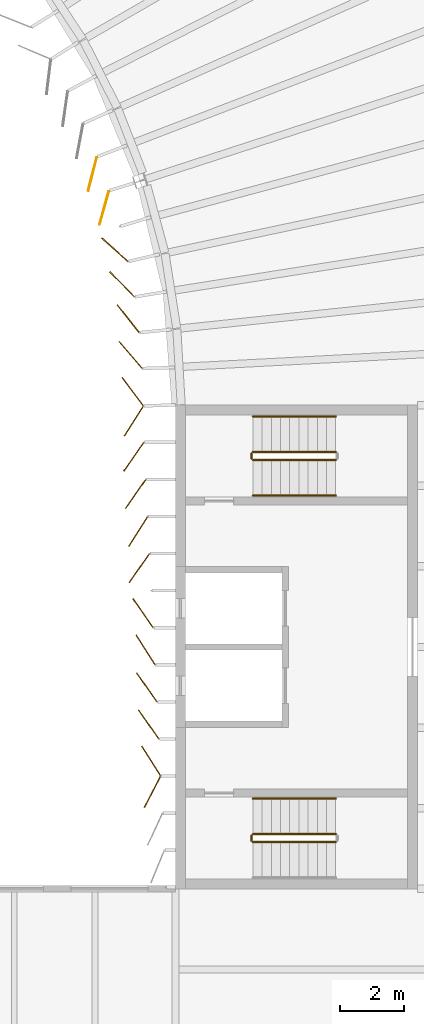
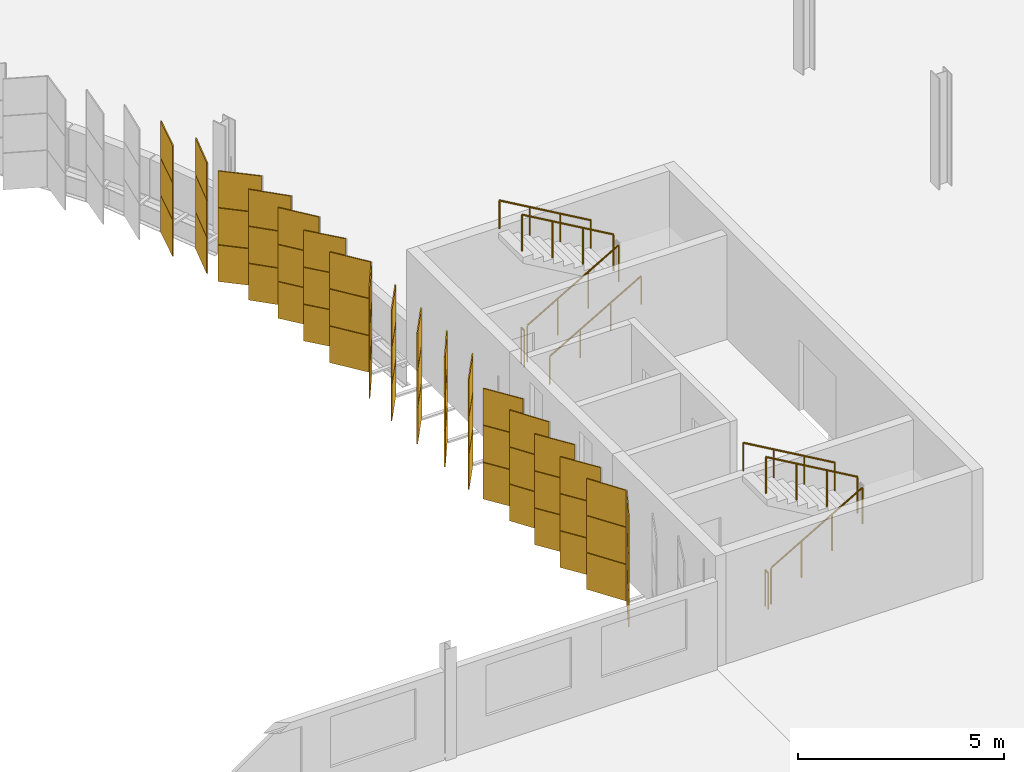
# One storey, part 206 of 214: 54 coverings, 9 railings.
"""IFC4 building model written with IfcOpenShell, lengths in metres."""

from ifc_helpers import new_model, si_unit, direction, frame, origin, origin_2d, place, context, subcontext, project, spatial, rectangle, circle, extrude, material, layer, layer_set, type_object, element, save


model = new_model("IFC4")

# Units and contexts
model_context = context("Model", 3, precision=1e-05, world=origin(), true_north=direction((0.0, 1.0)))
body_context = subcontext(model_context, "Body", "Model", "MODEL_VIEW")
ifc_project = project(units=[si_unit("LENGTHUNIT", "METRE"), si_unit("AREAUNIT", "SQUARE_METRE"), si_unit("VOLUMEUNIT", "CUBIC_METRE"), si_unit("PLANEANGLEUNIT", "RADIAN"), si_unit("MASSUNIT", "GRAM", prefix="KILO")], contexts=[model_context])

# Site, building, storey
site_placement = place(None, origin())
site = spatial("IfcSite", under=ifc_project, at=site_placement, CompositionType="ELEMENT")
building_placement = place(site_placement, origin())
building = spatial("IfcBuilding", under=site, at=building_placement, Name="Parallax Yard Mobility Hub", CompositionType="ELEMENT")
storey_placement = place(building_placement, frame((0.0, 0.0, 3.300048828125)))
storey = spatial("IfcBuildingStorey", under=building, at=storey_placement, Name="L01", CompositionType="ELEMENT", Elevation=3.300048828125)

# Coverings
ifc_material_1 = material(Name="Aluminium panel, light oak finish", Category="aluminium")
ifc_layer_1 = layer(ifc_material_1, 0.030029296875)
ifc_layer_set_1 = layer_set([ifc_layer_1], Name="Skin panel 27.5 degree turn, oak finish")
covering_type_1 = type_object("IfcCoveringType", Name="Skin panel 27.5 degree turn, oak finish", PredefinedType="CLADDING", material=ifc_layer_set_1)
for number, where, z_axis, x_axis, name in (
    (1, (194.280517578125, 78.00439453125, 1.119873046875), (0.0, 0.0, 1.0), (-0.461748613235, -0.887010833178, 0.0), "Skin panel 27.5 bay 23.11 row 2 level L01"),
    (2, (194.280517578125, 78.00439453125, 2.219970703125), (0.0, 0.0, 1.0), (-0.461748613235, -0.887010833178, 0.0), "Skin panel 27.5 bay 23.11 row 3 level L01"),
):
    element("IfcCovering", number, at=place(storey_placement, frame(where, z_axis=z_axis, x_axis=x_axis)), inside=storey, type_object=covering_type_1, Name=name, ObjectType="SCREEN", PredefinedType="CLADDING", context=body_context, shape_type="SweptSolid", body=[
        extrude(rectangle(XDim=1.080078125, YDim=0.030029296875, at=origin_2d()), origin(), (0.0, 0.0, 1.0), 1.080078125),
    ])
ifc_material_2 = material(Name="Aluminium panel, walnut finish", Category="aluminium")
ifc_layer_2 = layer(ifc_material_2, 0.030029296875)
ifc_layer_set_2 = layer_set([ifc_layer_2], Name="Skin panel 27.5 degree turn, walnut finish")
covering_type_2 = type_object("IfcCoveringType", Name="Skin panel 27.5 degree turn, walnut finish", PredefinedType="CLADDING", material=ifc_layer_set_2)
covering_placement = place(storey_placement, frame((194.280517578125, 78.00439453125, 0.02001953125), z_axis=(0.0, 0.0, 1.0), x_axis=(-0.461748613235, -0.887010833178, 0.0)))
element("IfcCovering", 3, at=covering_placement, inside=storey, type_object=covering_type_2, Name="Skin panel 27.5 bay 23.11 row 1 level L01", ObjectType="SCREEN", PredefinedType="CLADDING", context=body_context, shape_type="SweptSolid", body=[
    extrude(rectangle(XDim=1.080078125, YDim=0.030029296875, at=origin_2d()), origin(), (0.0, 0.0, 1.0), 1.080078125),
])
ifc_layer_3 = layer(ifc_material_1, 0.030029296875)
ifc_layer_set_3 = layer_set([ifc_layer_3], Name="Skin panel 32.5 degree turn, oak finish")
covering_type_3 = type_object("IfcCoveringType", Name="Skin panel 32.5 degree turn, oak finish", PredefinedType="CLADDING", material=ifc_layer_set_3)
for number, where, z_axis, x_axis, name in (
    (4, (192.7861328125, 96.119140625, 1.119873046875), (0.0, 0.0, 1.0), (-0.269340053953, -0.963045136708, 0.0), "Skin panel 32.5 bay 22.1 row 2 level L01"),
    (5, (192.7861328125, 96.119140625, 2.219970703125), (0.0, 0.0, 1.0), (-0.269340053953, -0.963045136708, 0.0), "Skin panel 32.5 bay 22.1 row 3 level L01"),
    (6, (193.52685546875, 92.688232421875, 1.119873046875), (0.0, 0.0, 1.0), (-0.617379181571, 0.786665714369, 0.0), "Skin panel 32.5 bay 22.4 row 2 level L01"),
    (7, (193.52685546875, 92.688232421875, 2.219970703125), (0.0, 0.0, 1.0), (-0.617379181571, 0.786665714369, 0.0), "Skin panel 32.5 bay 22.4 row 3 level L01"),
    (8, (193.701416015625, 89.507568359375, 1.119873046875), (0.0, 0.0, 1.0), (-0.537299608347, -0.843391445813, 0.0), "Skin panel 32.5 bay 23.1 row 2 level L01"),
    (9, (193.701416015625, 89.507568359375, 2.219970703125), (0.0, 0.0, 1.0), (-0.537299608347, -0.843391445813, 0.0), "Skin panel 32.5 bay 23.1 row 3 level L01"),
    (10, (193.835693359375, 86.079833984375, 1.119873046875), (0.0, 0.0, 1.0), (-0.537299608347, -0.843391445813, 0.0), "Skin panel 32.5 bay 23.4 row 2 level L01"),
    (11, (193.835693359375, 86.079833984375, 2.219970703125), (0.0, 0.0, 1.0), (-0.537299608347, -0.843391445813, 0.0), "Skin panel 32.5 bay 23.4 row 3 level L01"),
    (12, (194.06591796875, 82.41748046875, 1.119873046875), (0.0, 0.0, 1.0), (-0.537299608347, 0.843391445813, 0.0), "Skin panel 32.5 bay 23.7 row 2 level L01"),
    (13, (194.06591796875, 82.41748046875, 2.219970703125), (0.0, 0.0, 1.0), (-0.537299608347, 0.843391445813, 0.0), "Skin panel 32.5 bay 23.7 row 3 level L01"),
    (14, (194.23828125, 78.967041015625, 1.119873046875), (0.0, 0.0, 1.0), (-0.537299608347, 0.843391445813, 0.0), "Skin panel 32.5 bay 23.10 row 2 level L01"),
    (15, (194.23828125, 78.967041015625, 2.219970703125), (0.0, 0.0, 1.0), (-0.537299608347, 0.843391445813, 0.0), "Skin panel 32.5 bay 23.10 row 3 level L01"),
):
    element("IfcCovering", number, at=place(storey_placement, frame(where, z_axis=z_axis, x_axis=x_axis)), inside=storey, type_object=covering_type_3, Name=name, ObjectType="SCREEN", PredefinedType="CLADDING", context=body_context, shape_type="SweptSolid", body=[
        extrude(rectangle(XDim=1.080078125, YDim=0.030029296875, at=origin_2d()), origin(), (0.0, 0.0, 1.0), 1.080078125),
    ])
ifc_layer_4 = layer(ifc_material_2, 0.030029296875)
ifc_layer_set_4 = layer_set([ifc_layer_4], Name="Skin panel 32.5 degree turn, walnut finish")
covering_type_4 = type_object("IfcCoveringType", Name="Skin panel 32.5 degree turn, walnut finish", PredefinedType="CLADDING", material=ifc_layer_set_4)
for number, where, z_axis, x_axis, name in (
    (16, (192.7861328125, 96.119140625, 0.02001953125), (0.0, 0.0, 1.0), (-0.269340053953, -0.963045136708, 0.0), "Skin panel 32.5 bay 22.1 row 1 level L01"),
    (17, (193.52685546875, 92.688232421875, 0.02001953125), (0.0, 0.0, 1.0), (-0.617379181571, 0.786665714369, 0.0), "Skin panel 32.5 bay 22.4 row 1 level L01"),
    (18, (193.701416015625, 89.507568359375, 0.02001953125), (0.0, 0.0, 1.0), (-0.537299608347, -0.843391445813, 0.0), "Skin panel 32.5 bay 23.1 row 1 level L01"),
    (19, (193.835693359375, 86.079833984375, 0.02001953125), (0.0, 0.0, 1.0), (-0.537299608347, -0.843391445813, 0.0), "Skin panel 32.5 bay 23.4 row 1 level L01"),
    (20, (194.06591796875, 82.41748046875, 0.02001953125), (0.0, 0.0, 1.0), (-0.537299608347, 0.843391445813, 0.0), "Skin panel 32.5 bay 23.7 row 1 level L01"),
    (21, (194.23828125, 78.967041015625, 0.02001953125), (0.0, 0.0, 1.0), (-0.537299608347, 0.843391445813, 0.0), "Skin panel 32.5 bay 23.10 row 1 level L01"),
):
    element("IfcCovering", number, at=place(storey_placement, frame(where, z_axis=z_axis, x_axis=x_axis)), inside=storey, type_object=covering_type_4, Name=name, ObjectType="SCREEN", PredefinedType="CLADDING", context=body_context, shape_type="SweptSolid", body=[
        extrude(rectangle(XDim=1.080078125, YDim=0.030029296875, at=origin_2d()), origin(), (0.0, 0.0, 1.0), 1.080078125),
    ])
ifc_layer_5 = layer(ifc_material_1, 0.030029296875)
ifc_layer_set_5 = layer_set([ifc_layer_5], Name="Skin panel 35 degree turn, oak finish")
covering_type_5 = type_object("IfcCoveringType", Name="Skin panel 35 degree turn, oak finish", PredefinedType="CLADDING", material=ifc_layer_set_5)
for number, where, z_axis, x_axis, name in (
    (22, (192.42138671875, 97.16650390625, 1.119873046875), (0.0, 0.0, 1.0), (-0.248267239374, -0.968691580357, 0.0), "Skin panel 35 bay 21.6 row 2 level L01"),
    (23, (192.42138671875, 97.16650390625, 2.219970703125), (0.0, 0.0, 1.0), (-0.248267239374, -0.968691580357, 0.0), "Skin panel 35 bay 21.6 row 3 level L01"),
    (24, (193.111328125, 94.826416015625, 1.119873046875), (0.0, 0.0, 1.0), (-0.744602872292, 0.66750772473, 0.0), "Skin panel 35 bay 22.2 row 2 level L01"),
    (25, (193.111328125, 94.826416015625, 2.219970703125), (0.0, 0.0, 1.0), (-0.744602872292, 0.66750772473, 0.0), "Skin panel 35 bay 22.2 row 3 level L01"),
    (26, (193.33544921875, 93.754638671875, 1.119873046875), (0.0, 0.0, 1.0), (-0.699351526403, 0.714777897334, 0.0), "Skin panel 35 bay 22.3 row 2 level L01"),
    (27, (193.33544921875, 93.754638671875, 2.219970703125), (0.0, 0.0, 1.0), (-0.699351526403, 0.714777897334, 0.0), "Skin panel 35 bay 22.3 row 3 level L01"),
    (28, (193.60009765625, 91.560791015625, 1.119873046875), (0.0, 0.0, 1.0), (-0.651105449912, 0.758987281247, 0.0), "Skin panel 35 bay 22.5 row 2 level L01"),
    (29, (193.60009765625, 91.560791015625, 2.219970703125), (0.0, 0.0, 1.0), (-0.651105449912, 0.758987281247, 0.0), "Skin panel 35 bay 22.5 row 3 level L01"),
    (30, (193.66650390625, 90.421875, 1.119873046875), (0.0, 0.0, 1.0), (-0.600071239924, 0.7999465651, 0.0), "Skin panel 35 bay 22.6 row 2 level L01"),
    (31, (193.66650390625, 90.421875, 2.219970703125), (0.0, 0.0, 1.0), (-0.600071239924, 0.7999465651, 0.0), "Skin panel 35 bay 22.6 row 3 level L01"),
    (32, (193.70068359375, 88.393798828125, 1.119873046875), (0.0, 0.0, 1.0), (-0.573576436351, -0.819152044289, 0.0), "Skin panel 35 bay 23.2 row 2 level L01"),
    (33, (193.70068359375, 88.393798828125, 2.219970703125), (0.0, 0.0, 1.0), (-0.573576436351, -0.819152044289, 0.0), "Skin panel 35 bay 23.2 row 3 level L01"),
    (34, (193.75830078125, 87.243408203125, 1.119873046875), (0.0, 0.0, 1.0), (-0.573576436351, -0.819152044289, 0.0), "Skin panel 35 bay 23.3 row 2 level L01"),
    (35, (193.75830078125, 87.243408203125, 2.219970703125), (0.0, 0.0, 1.0), (-0.573576436351, -0.819152044289, 0.0), "Skin panel 35 bay 23.3 row 3 level L01"),
    (36, (193.873291015625, 84.943115234375, 1.119873046875), (0.0, 0.0, 1.0), (-0.573576436351, -0.819152044289, 0.0), "Skin panel 35 bay 23.5 row 2 level L01"),
    (37, (193.873291015625, 84.943115234375, 2.219970703125), (0.0, 0.0, 1.0), (-0.573576436351, -0.819152044289, 0.0), "Skin panel 35 bay 23.5 row 3 level L01"),
    (38, (193.98828125, 83.55419921875, 1.119873046875), (0.0, 0.0, 1.0), (-0.573576436351, 0.819152044289, 0.0), "Skin panel 35 bay 23.6 row 2 level L01"),
    (39, (193.98828125, 83.55419921875, 2.219970703125), (0.0, 0.0, 1.0), (-0.573576436351, 0.819152044289, 0.0), "Skin panel 35 bay 23.6 row 3 level L01"),
    (40, (194.103271484375, 81.25390625, 1.119873046875), (0.0, 0.0, 1.0), (-0.573576436351, 0.819152044289, 0.0), "Skin panel 35 bay 23.8 row 2 level L01"),
    (41, (194.103271484375, 81.25390625, 2.219970703125), (0.0, 0.0, 1.0), (-0.573576436351, 0.819152044289, 0.0), "Skin panel 35 bay 23.8 row 3 level L01"),
    (42, (194.16064453125, 80.103759765625, 1.119873046875), (0.0, 0.0, 1.0), (-0.573576436351, 0.819152044289, 0.0), "Skin panel 35 bay 23.9 row 2 level L01"),
    (43, (194.16064453125, 80.103759765625, 2.219970703125), (0.0, 0.0, 1.0), (-0.573576436351, 0.819152044289, 0.0), "Skin panel 35 bay 23.9 row 3 level L01"),
):
    element("IfcCovering", number, at=place(storey_placement, frame(where, z_axis=z_axis, x_axis=x_axis)), inside=storey, type_object=covering_type_5, Name=name, ObjectType="SCREEN", PredefinedType="CLADDING", context=body_context, shape_type="SweptSolid", body=[
        extrude(rectangle(XDim=1.080078125, YDim=0.030029296875, at=origin_2d()), origin(), (0.0, 0.0, 1.0), 1.080078125),
    ])
ifc_layer_6 = layer(ifc_material_2, 0.030029296875)
ifc_layer_set_6 = layer_set([ifc_layer_6], Name="Skin panel 35 degree turn, walnut finish")
covering_type_6 = type_object("IfcCoveringType", Name="Skin panel 35 degree turn, walnut finish", PredefinedType="CLADDING", material=ifc_layer_set_6)
for number, where, z_axis, x_axis, name in (
    (44, (192.42138671875, 97.16650390625, 0.02001953125), (0.0, 0.0, 1.0), (-0.248267239374, -0.968691580357, 0.0), "Skin panel 35 bay 21.6 row 1 level L01"),
    (45, (193.111328125, 94.826416015625, 0.02001953125), (0.0, 0.0, 1.0), (-0.744602872292, 0.66750772473, 0.0), "Skin panel 35 bay 22.2 row 1 level L01"),
    (46, (193.33544921875, 93.754638671875, 0.02001953125), (0.0, 0.0, 1.0), (-0.699351526403, 0.714777897334, 0.0), "Skin panel 35 bay 22.3 row 1 level L01"),
    (47, (193.60009765625, 91.560791015625, 0.02001953125), (0.0, 0.0, 1.0), (-0.651105449912, 0.758987281247, 0.0), "Skin panel 35 bay 22.5 row 1 level L01"),
    (48, (193.66650390625, 90.421875, 0.02001953125), (0.0, 0.0, 1.0), (-0.600071239924, 0.7999465651, 0.0), "Skin panel 35 bay 22.6 row 1 level L01"),
    (49, (193.70068359375, 88.393798828125, 0.02001953125), (0.0, 0.0, 1.0), (-0.573576436351, -0.819152044289, 0.0), "Skin panel 35 bay 23.2 row 1 level L01"),
    (50, (193.75830078125, 87.243408203125, 0.02001953125), (0.0, 0.0, 1.0), (-0.573576436351, -0.819152044289, 0.0), "Skin panel 35 bay 23.3 row 1 level L01"),
    (51, (193.873291015625, 84.943115234375, 0.02001953125), (0.0, 0.0, 1.0), (-0.573576436351, -0.819152044289, 0.0), "Skin panel 35 bay 23.5 row 1 level L01"),
    (52, (193.98828125, 83.55419921875, 0.02001953125), (0.0, 0.0, 1.0), (-0.573576436351, 0.819152044289, 0.0), "Skin panel 35 bay 23.6 row 1 level L01"),
    (53, (194.103271484375, 81.25390625, 0.02001953125), (0.0, 0.0, 1.0), (-0.573576436351, 0.819152044289, 0.0), "Skin panel 35 bay 23.8 row 1 level L01"),
    (54, (194.16064453125, 80.103759765625, 0.02001953125), (0.0, 0.0, 1.0), (-0.573576436351, 0.819152044289, 0.0), "Skin panel 35 bay 23.9 row 1 level L01"),
):
    element("IfcCovering", number, at=place(storey_placement, frame(where, z_axis=z_axis, x_axis=x_axis)), inside=storey, type_object=covering_type_6, Name=name, ObjectType="SCREEN", PredefinedType="CLADDING", context=body_context, shape_type="SweptSolid", body=[
        extrude(rectangle(XDim=1.080078125, YDim=0.030029296875, at=origin_2d()), origin(), (0.0, 0.0, 1.0), 1.080078125),
    ])

# Railings
ifc_material_3 = material(Name="Steel ASTM A36", Category="steel")
railing_type_1 = type_object("IfcRailingType", Name="Stair guard 1100", PredefinedType="GUARDRAIL", material=ifc_material_3)
railing_1_placement = place(storey_placement, frame((197.39990234375, 76.449951171875, 0.1650390625)))
element("IfcRailing", 55, at=railing_1_placement, inside=storey, type_object=railing_type_1, Name="L01 ST7 stair guard 1", PredefinedType="GUARDRAIL", context=body_context, shape_type="SweptSolid", body=[
    extrude(circle(Radius=0.02392578125, at=origin_2d()), frame((0.0, 0.0, 1.076171875), z_axis=(0.865461999751, 0.0, 0.500974577186), x_axis=(0.0, 1.0, 0.0)), (0.0, 0.0, 1.0), 2.9638671875),
    extrude(circle(Radius=0.02099609375, at=origin_2d()), origin(), (0.0, 0.0, 1.0), 1.052001953125),
    extrude(circle(Radius=0.02099609375, at=origin_2d()), frame((0.85498046875, 0.0, 0.494873046875)), (0.0, 0.0, 1.0), 1.052001953125),
    extrude(circle(Radius=0.02099609375, at=origin_2d()), frame((1.710205078125, 0.0, 0.989990234375)), (0.0, 0.0, 1.0), 1.052001953125),
    extrude(circle(Radius=0.02099609375, at=origin_2d()), frame((2.565185546875, 0.0, 1.48486328125)), (0.0, 0.0, 1.0), 1.052001953125),
])
railing_2_placement = place(storey_placement, frame((199.965087890625, 76.699951171875, 1.81494140625)))
element("IfcRailing", 56, at=railing_2_placement, inside=storey, type_object=railing_type_1, Name="L01 ST7 stair guard 3", PredefinedType="GUARDRAIL", context=body_context, shape_type="SweptSolid", body=[
    extrude(circle(Radius=0.02392578125, at=origin_2d()), frame((0.0, 0.0, 1.076171875), z_axis=(-0.865426285481, 0.0, 0.501036270542), x_axis=(0.0, -1.0, 0.0)), (0.0, 0.0, 1.0), 2.964111328125),
    extrude(circle(Radius=0.02099609375, at=origin_2d()), origin(), (0.0, 0.0, 1.0), 1.052001953125),
    extrude(circle(Radius=0.02099609375, at=origin_2d()), frame((-0.85498046875, 0.0, 0.4951171875)), (0.0, 0.0, 1.0), 1.052001953125),
    extrude(circle(Radius=0.02099609375, at=origin_2d()), frame((-1.710205078125, 0.0, 0.989990234375)), (0.0, 0.0, 1.0), 1.052001953125),
    extrude(circle(Radius=0.02099609375, at=origin_2d()), frame((-2.565185546875, 0.0, 1.485107421875)), (0.0, 0.0, 1.0), 1.052001953125),
])
railing_3_placement = place(storey_placement, frame((197.35009765625, 76.5, 0.0)))
element("IfcRailing", 57, at=railing_3_placement, inside=storey, type_object=railing_type_1, Name="L01 ST7 stair guard 4", PredefinedType="GUARDRAIL", context=body_context, shape_type="SweptSolid", body=[
    extrude(circle(Radius=0.02392578125, at=origin_2d()), frame((0.0, 0.0, 1.076171875), z_axis=(0.0, 1.0, 0.0), x_axis=(-1.0, 0.0, 0.0)), (0.0, 0.0, 1.0), 0.14990234375),
    extrude(circle(Radius=0.02099609375, at=origin_2d()), origin(), (0.0, 0.0, 1.0), 1.052001953125),
    extrude(circle(Radius=0.02099609375, at=origin_2d()), frame((0.0, 0.14990234375, 0.0)), (0.0, 0.0, 1.0), 1.052001953125),
])
railing_4_placement = place(storey_placement, frame((197.39990234375, 88.300048828125, 0.1650390625)))
element("IfcRailing", 58, at=railing_4_placement, inside=storey, type_object=railing_type_1, Name="L01 ST8 stair guard 1", PredefinedType="GUARDRAIL", context=body_context, shape_type="SweptSolid", body=[
    extrude(circle(Radius=0.02392578125, at=origin_2d()), frame((0.0, 0.0, 1.076171875), z_axis=(0.865461999751, 0.0, 0.500974577186), x_axis=(0.0, 1.0, 0.0)), (0.0, 0.0, 1.0), 2.9638671875),
    extrude(circle(Radius=0.02099609375, at=origin_2d()), origin(), (0.0, 0.0, 1.0), 1.052001953125),
    extrude(circle(Radius=0.02099609375, at=origin_2d()), frame((0.85498046875, 0.0, 0.494873046875)), (0.0, 0.0, 1.0), 1.052001953125),
    extrude(circle(Radius=0.02099609375, at=origin_2d()), frame((1.710205078125, 0.0, 0.989990234375)), (0.0, 0.0, 1.0), 1.052001953125),
    extrude(circle(Radius=0.02099609375, at=origin_2d()), frame((2.565185546875, 0.0, 1.48486328125)), (0.0, 0.0, 1.0), 1.052001953125),
])
railing_5_placement = place(storey_placement, frame((199.965087890625, 88.550048828125, 1.81494140625)))
element("IfcRailing", 59, at=railing_5_placement, inside=storey, type_object=railing_type_1, Name="L01 ST8 stair guard 3", PredefinedType="GUARDRAIL", context=body_context, shape_type="SweptSolid", body=[
    extrude(circle(Radius=0.02392578125, at=origin_2d()), frame((0.0, 0.0, 1.076171875), z_axis=(-0.865426285481, 0.0, 0.501036270542), x_axis=(0.0, -1.0, 0.0)), (0.0, 0.0, 1.0), 2.964111328125),
    extrude(circle(Radius=0.02099609375, at=origin_2d()), origin(), (0.0, 0.0, 1.0), 1.052001953125),
    extrude(circle(Radius=0.02099609375, at=origin_2d()), frame((-0.85498046875, 0.0, 0.4951171875)), (0.0, 0.0, 1.0), 1.052001953125),
    extrude(circle(Radius=0.02099609375, at=origin_2d()), frame((-1.710205078125, 0.0, 0.989990234375)), (0.0, 0.0, 1.0), 1.052001953125),
    extrude(circle(Radius=0.02099609375, at=origin_2d()), frame((-2.565185546875, 0.0, 1.485107421875)), (0.0, 0.0, 1.0), 1.052001953125),
])
railing_6_placement = place(storey_placement, frame((197.35009765625, 88.35009765625, 0.0)))
element("IfcRailing", 60, at=railing_6_placement, inside=storey, type_object=railing_type_1, Name="L01 ST8 stair guard 4", PredefinedType="GUARDRAIL", context=body_context, shape_type="SweptSolid", body=[
    extrude(circle(Radius=0.02392578125, at=origin_2d()), frame((0.0, 0.0, 1.076171875), z_axis=(0.0, 1.0, 0.0), x_axis=(-1.0, 0.0, 0.0)), (0.0, 0.0, 1.0), 0.14990234375),
    extrude(circle(Radius=0.02099609375, at=origin_2d()), origin(), (0.0, 0.0, 1.0), 1.052001953125),
    extrude(circle(Radius=0.02099609375, at=origin_2d()), frame((0.0, 0.14990234375, 0.0)), (0.0, 0.0, 1.0), 1.052001953125),
])
railing_type_2 = type_object("IfcRailingType", Name="Stair handrail", PredefinedType="HANDRAIL", material=ifc_material_3)
railing_7_placement = place(storey_placement, frame((199.965087890625, 77.800048828125, 1.81494140625)))
element("IfcRailing", 61, at=railing_7_placement, inside=storey, type_object=railing_type_2, Name="L01 ST7 stair handrail 2", PredefinedType="HANDRAIL", context=body_context, shape_type="SweptSolid", body=[
    extrude(circle(Radius=0.02392578125, at=origin_2d()), frame((0.0, 0.0, 0.8310546875), z_axis=(-0.865426285481, 0.0, 0.501036270542), x_axis=(0.0, -1.0, 0.0)), (0.0, 0.0, 1.0), 2.964111328125),
    extrude(circle(Radius=0.02099609375, at=origin_2d()), origin(), (0.0, 0.0, 1.0), 0.806884765625),
    extrude(circle(Radius=0.02099609375, at=origin_2d()), frame((-0.85498046875, 0.0, 0.4951171875)), (0.0, 0.0, 1.0), 0.806884765625),
    extrude(circle(Radius=0.02099609375, at=origin_2d()), frame((-1.710205078125, 0.0, 0.989990234375)), (0.0, 0.0, 1.0), 0.806884765625),
    extrude(circle(Radius=0.02099609375, at=origin_2d()), frame((-2.565185546875, 0.0, 1.485107421875)), (0.0, 0.0, 1.0), 0.806884765625),
])
railing_8_placement = place(storey_placement, frame((197.39990234375, 87.199951171875, 0.1650390625)))
element("IfcRailing", 62, at=railing_8_placement, inside=storey, type_object=railing_type_2, Name="L01 ST8 stair handrail 1", PredefinedType="HANDRAIL", context=body_context, shape_type="SweptSolid", body=[
    extrude(circle(Radius=0.02392578125, at=origin_2d()), frame((0.0, 0.0, 0.8310546875), z_axis=(0.865461999751, 0.0, 0.500974577186), x_axis=(0.0, 1.0, 0.0)), (0.0, 0.0, 1.0), 2.9638671875),
    extrude(circle(Radius=0.02099609375, at=origin_2d()), origin(), (0.0, 0.0, 1.0), 0.806884765625),
    extrude(circle(Radius=0.02099609375, at=origin_2d()), frame((0.85498046875, 0.0, 0.494873046875)), (0.0, 0.0, 1.0), 0.806884765625),
    extrude(circle(Radius=0.02099609375, at=origin_2d()), frame((1.710205078125, 0.0, 0.989990234375)), (0.0, 0.0, 1.0), 0.806884765625),
    extrude(circle(Radius=0.02099609375, at=origin_2d()), frame((2.565185546875, 0.0, 1.48486328125)), (0.0, 0.0, 1.0), 0.806884765625),
])
railing_9_placement = place(storey_placement, frame((199.965087890625, 89.64990234375, 1.81494140625)))
element("IfcRailing", 63, at=railing_9_placement, inside=storey, type_object=railing_type_2, Name="L01 ST8 stair handrail 2", PredefinedType="HANDRAIL", context=body_context, shape_type="SweptSolid", body=[
    extrude(circle(Radius=0.02392578125, at=origin_2d()), frame((0.0, 0.0, 0.8310546875), z_axis=(-0.865426285481, 0.0, 0.501036270542), x_axis=(0.0, -1.0, 0.0)), (0.0, 0.0, 1.0), 2.964111328125),
    extrude(circle(Radius=0.02099609375, at=origin_2d()), origin(), (0.0, 0.0, 1.0), 0.806884765625),
    extrude(circle(Radius=0.02099609375, at=origin_2d()), frame((-0.85498046875, 0.0, 0.4951171875)), (0.0, 0.0, 1.0), 0.806884765625),
    extrude(circle(Radius=0.02099609375, at=origin_2d()), frame((-1.710205078125, 0.0, 0.989990234375)), (0.0, 0.0, 1.0), 0.806884765625),
    extrude(circle(Radius=0.02099609375, at=origin_2d()), frame((-2.565185546875, 0.0, 1.485107421875)), (0.0, 0.0, 1.0), 0.806884765625),
])

save(model, "model.ifc")
